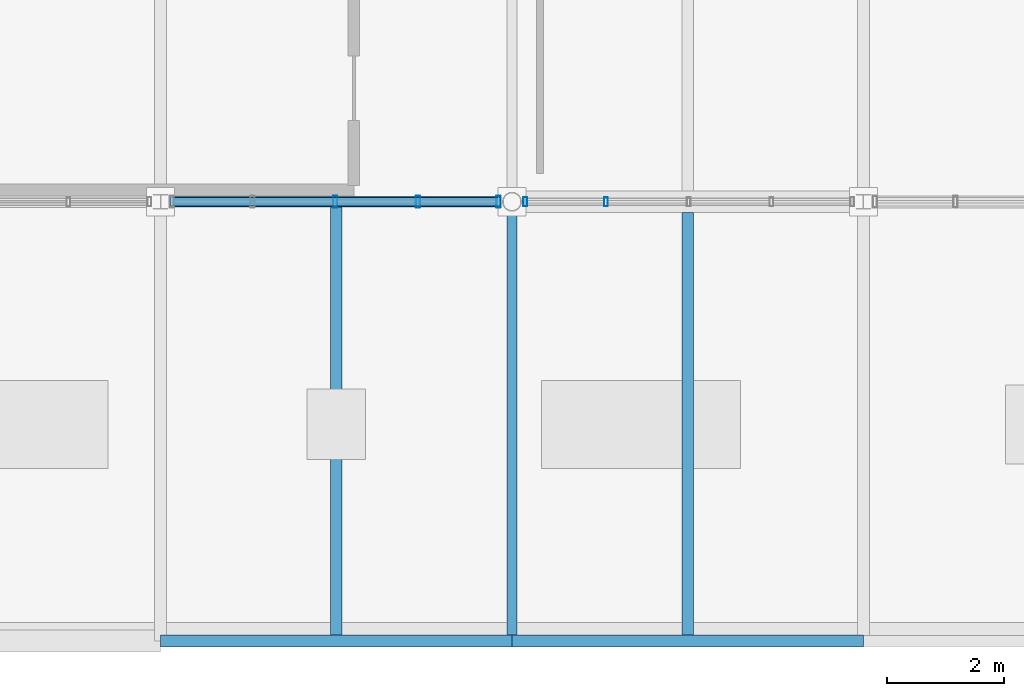
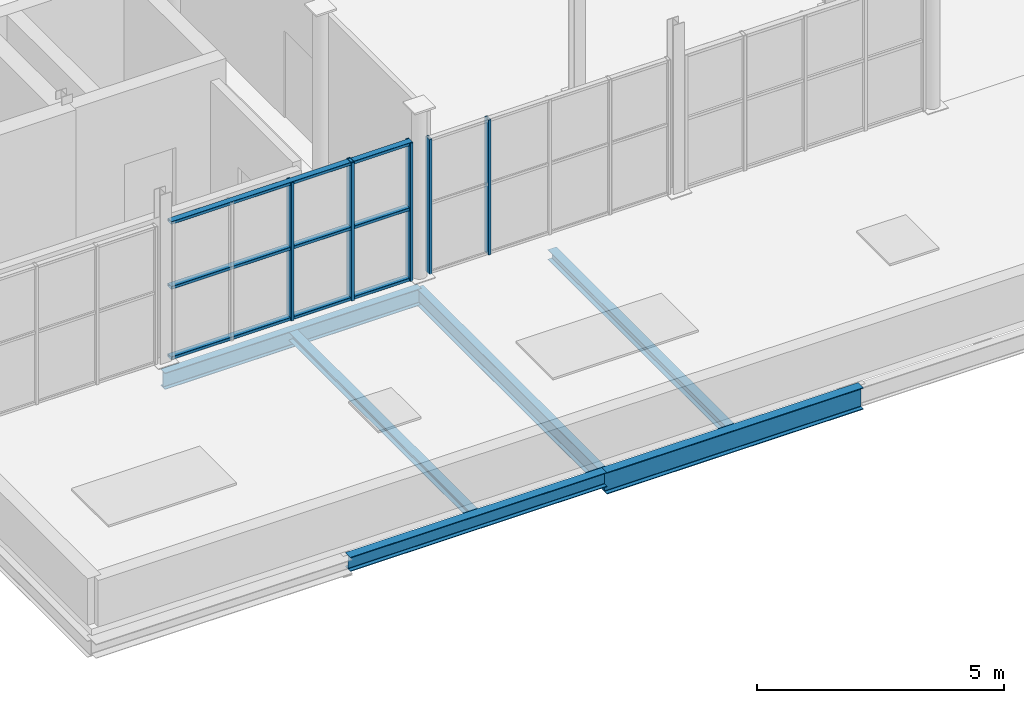
# One storey, part 4 of 27: 8 members, 6 beams, 2 elements without a shape of their own.
"""IFC4 building model written with IfcOpenShell, lengths in metres."""

from ifc_helpers import new_model, si_unit, direction, frame, origin, origin_2d, place, context, subcontext, project, spatial, hollow_rectangle, i_section, extrude, material, material_profile, profile_set, type_object, element, aggregate, save


model = new_model("IFC4")

# Units and contexts
model_context = context("Model", 3, precision=1e-05, world=origin(), true_north=direction((0.0, 1.0)))
body_context = subcontext(model_context, "Body", "Model", "MODEL_VIEW")
ifc_project = project(units=[si_unit("LENGTHUNIT", "METRE"), si_unit("AREAUNIT", "SQUARE_METRE"), si_unit("VOLUMEUNIT", "CUBIC_METRE"), si_unit("PLANEANGLEUNIT", "RADIAN"), si_unit("MASSUNIT", "GRAM", prefix="KILO")], contexts=[model_context])

# Site, building, storey
site_placement = place(None, origin())
site = spatial("IfcSite", under=ifc_project, at=site_placement, CompositionType="ELEMENT")
building_placement = place(site_placement, origin())
building = spatial("IfcBuilding", under=site, at=building_placement, Name="Verrall Gate Interchange", CompositionType="ELEMENT")
storey_placement = place(building_placement, frame((0.0, 0.0, 28.60009765625)))
storey = spatial("IfcBuildingStorey", under=building, at=storey_placement, Name="L07", CompositionType="ELEMENT", Elevation=28.60009765625)

# Beams
ifc_material_1 = material(Name="Structural Steel CSA G40.21 350W", Category="steel")
ifc_material_profile_1 = material_profile(ifc_material_1, i_section(OverallWidth=0.2109375, OverallDepth=0.5390625, WebThickness=0.01171875, FlangeThickness=0.018798828125, FilletRadius=0.013916015625, at=origin_2d()), Name="W530x109")
ifc_profile_set_1 = profile_set([ifc_material_profile_1], Name="Structural Steel CSA G40.21 350W")
beam_type_1 = type_object("IfcBeamType", Name="B-10 Structural Beam W530x109", PredefinedType="BEAM", material=ifc_profile_set_1)
beam_1_placement = place(storey_placement, frame((18.0, 4.5, -0.529541015625), z_axis=(1.0, 0.0, 0.0), x_axis=(0.0, 1.0, 0.0)))
element("IfcBeam", 1, at=beam_1_placement, inside=storey, type_object=beam_type_1, Name="L07 Girder BM-L07-3224 (B-10)", PredefinedType="BEAM", context=body_context, shape_type="SweptSolid", body=[
    extrude(i_section(OverallWidth=0.2109375, OverallDepth=0.5390625, WebThickness=0.01171875, FlangeThickness=0.018798828125, FilletRadius=0.013916015625, at=origin_2d()), origin(), (0.0, 0.0, 1.0), 6.0),
])
ifc_material_2 = material(Name="Structural Steel CSA G40.21 350W", Category="steel")
ifc_material_profile_2 = material_profile(ifc_material_2, i_section(OverallWidth=0.178955078125, OverallDepth=0.409912109375, WebThickness=0.0087890625, FlangeThickness=0.014404296875, FilletRadius=0.011962890625, at=origin_2d()), Name="W410x67")
ifc_profile_set_2 = profile_set([ifc_material_profile_2], Name="Structural Steel CSA G40.21 350W")
beam_type_2 = type_object("IfcBeamType", Name="B-12 Structural Beam W410x67", PredefinedType="BEAM", material=ifc_profile_set_2)
beam_2_placement = place(storey_placement, frame((12.0, 12.0, -0.465087890625), z_axis=(1.0, 0.0, 0.0), x_axis=(0.0, 1.0, 0.0)))
element("IfcBeam", 2, at=beam_2_placement, inside=storey, type_object=beam_type_2, Name="L07 Girder BM-L07-3228 (B-12)", PredefinedType="BEAM", context=body_context, shape_type="SweptSolid", body=[
    extrude(i_section(OverallWidth=0.178955078125, OverallDepth=0.409912109375, WebThickness=0.0087890625, FlangeThickness=0.014404296875, FilletRadius=0.011962890625, at=origin_2d()), origin(), (0.0, 0.0, 1.0), 6.0),
])
beam_3_placement = place(storey_placement, frame((18.0, 4.5, -0.465087890625), z_axis=(0.0, 1.0, 0.0), x_axis=(-1.0, 0.0, 0.0)))
element("IfcBeam", 3, at=beam_3_placement, inside=storey, type_object=beam_type_2, Name="L07 Girder BM-L07-3282 (B-12)", PredefinedType="BEAM", context=body_context, shape_type="SweptSolid", body=[
    extrude(i_section(OverallWidth=0.178955078125, OverallDepth=0.409912109375, WebThickness=0.0087890625, FlangeThickness=0.014404296875, FilletRadius=0.011962890625, at=origin_2d()), origin(), (0.0, 0.0, 1.0), 7.5),
])
ifc_material_3 = material(Name="Structural Steel CSA G40.21 350W", Category="steel")
ifc_material_profile_3 = material_profile(ifc_material_3, i_section(OverallWidth=0.205078125, OverallDepth=0.35400390625, WebThickness=0.009521484375, FlangeThickness=0.016845703125, FilletRadius=0.012939453125, at=origin_2d()), Name="W360x79")
ifc_profile_set_3 = profile_set([ifc_material_profile_3], Name="Structural Steel CSA G40.21 350W")
beam_type_3 = type_object("IfcBeamType", Name="B-14 Structural Beam W360x79", PredefinedType="BEAM", material=ifc_profile_set_3)
beam_4_placement = place(storey_placement, frame((12.0, 4.5, -0.43701171875), z_axis=(1.0, 0.0, 0.0), x_axis=(0.0, 1.0, 0.0)))
element("IfcBeam", 4, at=beam_4_placement, inside=storey, type_object=beam_type_3, Name="L07 Girder BM-L07-3223 (B-14)", PredefinedType="BEAM", context=body_context, shape_type="SweptSolid", body=[
    extrude(i_section(OverallWidth=0.205078125, OverallDepth=0.35400390625, WebThickness=0.009521484375, FlangeThickness=0.016845703125, FilletRadius=0.012939453125, at=origin_2d()), origin(), (0.0, 0.0, 1.0), 6.0),
])

# Curtain wall, members
ifc_material_4 = material(Name="Thermally Broken Anodized Aluminium Curtain Wall Framing", Category="aluminium")
curtain_wall_type_1 = type_object("IfcCurtainWallType", Name="CW-43 Unitized Curtain Wall 5612x3310", PredefinedType="NOTDEFINED", material=ifc_material_4)
curtain_wall_1_placement = place(storey_placement, origin())
curtain_wall_1 = element("IfcCurtainWall", 5, at=curtain_wall_1_placement, inside=storey, type_object=curtain_wall_type_1, Name="L07 Unitized Curtain Wall CW-L07-154", PredefinedType="NOTDEFINED")
ifc_material_5 = material(Name="Thermally Broken Anodized Aluminium Curtain Wall Framing", Category="aluminium")
ifc_material_profile_4 = material_profile(ifc_material_5, hollow_rectangle(XDim=0.06494140625, YDim=0.159912109375, WallThickness=0.00390625, InnerFilletRadius=0.00390625, OuterFilletRadius=0.008056640625, at=origin_2d()), Name="CWM160x65x4")
ifc_profile_set_4 = profile_set([ifc_material_profile_4], Name="Thermally Broken Anodized Aluminium Curtain Wall Framing")
member_type_1 = type_object("IfcMemberType", Name="CM-01 Curtain Mullion CWM160x65x4", PredefinedType="MULLION", material=ifc_profile_set_4)
member_1_placement = place(storey_placement, frame((18.2265625, 12.0, 0.0), z_axis=(0.0, 0.0, 1.0), x_axis=(1.0, 0.0, 0.0)))
member_1 = element("IfcMember", 6, at=member_1_placement, type_object=member_type_1, Name="CW-L07-154 Mullion 1", PredefinedType="MULLION", context=body_context, shape_type="SweptSolid", body=[
    extrude(hollow_rectangle(XDim=0.06494140625, YDim=0.159912109375, WallThickness=0.00390625, InnerFilletRadius=0.00390625, OuterFilletRadius=0.008056640625, at=origin_2d()), origin(), (0.0, 0.0, 1.0), 3.33984375),
])
member_2_placement = place(storey_placement, frame((19.605712890625, 12.0, 0.0), z_axis=(0.0, 0.0, 1.0), x_axis=(1.0, 0.0, 0.0)))
member_2 = element("IfcMember", 7, at=member_2_placement, type_object=member_type_1, Name="CW-L07-154 Mullion 2", PredefinedType="MULLION", context=body_context, shape_type="SweptSolid", body=[
    extrude(hollow_rectangle(XDim=0.06494140625, YDim=0.159912109375, WallThickness=0.00390625, InnerFilletRadius=0.00390625, OuterFilletRadius=0.008056640625, at=origin_2d()), origin(), (0.0, 0.0, 1.0), 3.33984375),
])
aggregate(curtain_wall_1, [member_1, member_2])

ifc_material_6 = material(Name="Thermally Broken Anodized Aluminium Curtain Wall Framing", Category="aluminium")
curtain_wall_type_2 = type_object("IfcCurtainWallType", Name="CW-50 Unitized Curtain Wall 5647x3420", PredefinedType="NOTDEFINED", material=ifc_material_6)
curtain_wall_2_placement = place(storey_placement, origin())
curtain_wall_2 = element("IfcCurtainWall", 8, at=curtain_wall_2_placement, inside=storey, type_object=curtain_wall_type_2, Name="L07 Unitized Curtain Wall CW-L07-153", PredefinedType="NOTDEFINED")
ifc_material_7 = material(Name="Thermally Broken Anodized Aluminium Curtain Wall Framing", Category="aluminium")
ifc_material_profile_5 = material_profile(ifc_material_7, hollow_rectangle(XDim=0.074951171875, YDim=0.199951171875, WallThickness=0.0048828125, InnerFilletRadius=0.0048828125, OuterFilletRadius=0.010009765625, at=origin_2d()), Name="CWM200x75x5")
ifc_profile_set_5 = profile_set([ifc_material_profile_5], Name="Thermally Broken Anodized Aluminium Curtain Wall Framing")
member_type_2 = type_object("IfcMemberType", Name="CM-02 Curtain Mullion CWM200x75x5", PredefinedType="MULLION", material=ifc_profile_set_5)
member_3_placement = place(storey_placement, frame((14.982666015625, 12.0, 0.0), z_axis=(0.0, 0.0, 1.0), x_axis=(1.0, 0.0, 0.0)))
member_3 = element("IfcMember", 9, at=member_3_placement, type_object=member_type_2, Name="CW-L07-153 Mullion 3", PredefinedType="MULLION", context=body_context, shape_type="SweptSolid", body=[
    extrude(hollow_rectangle(XDim=0.074951171875, YDim=0.199951171875, WallThickness=0.0048828125, InnerFilletRadius=0.0048828125, OuterFilletRadius=0.010009765625, at=origin_2d()), origin(), (0.0, 0.0, 1.0), 3.419921875),
])
member_4_placement = place(storey_placement, frame((16.394287109375, 12.0, 0.0), z_axis=(0.0, 0.0, 1.0), x_axis=(1.0, 0.0, 0.0)))
member_4 = element("IfcMember", 10, at=member_4_placement, type_object=member_type_2, Name="CW-L07-153 Mullion 4", PredefinedType="MULLION", context=body_context, shape_type="SweptSolid", body=[
    extrude(hollow_rectangle(XDim=0.074951171875, YDim=0.199951171875, WallThickness=0.0048828125, InnerFilletRadius=0.0048828125, OuterFilletRadius=0.010009765625, at=origin_2d()), origin(), (0.0, 0.0, 1.0), 3.419921875),
])
member_5_placement = place(storey_placement, frame((17.7685546875, 12.0, 0.0), z_axis=(0.0, 0.0, 1.0), x_axis=(1.0, 0.0, 0.0)))
member_5 = element("IfcMember", 11, at=member_5_placement, type_object=member_type_2, Name="CW-L07-153 Mullion 5", PredefinedType="MULLION", context=body_context, shape_type="SweptSolid", body=[
    extrude(hollow_rectangle(XDim=0.074951171875, YDim=0.199951171875, WallThickness=0.0048828125, InnerFilletRadius=0.0048828125, OuterFilletRadius=0.010009765625, at=origin_2d()), origin(), (0.0, 0.0, 1.0), 3.419921875),
])
ifc_material_8 = material(Name="Thermally Broken Anodized Aluminium Curtain Wall Framing", Category="aluminium")
ifc_material_profile_6 = material_profile(ifc_material_8, hollow_rectangle(XDim=0.14990234375, YDim=0.074951171875, WallThickness=0.00439453125, InnerFilletRadius=0.00439453125, OuterFilletRadius=0.009033203125, at=origin_2d()), Name="CWT150x75x4.5")
ifc_profile_set_6 = profile_set([ifc_material_profile_6], Name="Thermally Broken Anodized Aluminium Curtain Wall Framing")
member_type_3 = type_object("IfcMemberType", Name="CT-02 Curtain Transom CWT150x75x4.5", PredefinedType="USERDEFINED", material=ifc_profile_set_6)
member_6_placement = place(storey_placement, frame((12.158935546875, 12.0, 0.037353515625), z_axis=(1.0, 0.0, 0.0), x_axis=(0.0, 1.0, 0.0)))
member_6 = element("IfcMember", 12, at=member_6_placement, type_object=member_type_3, Name="CW-L07-153 Transom 1", ObjectType="TRANSOM", PredefinedType="USERDEFINED", context=body_context, shape_type="SweptSolid", body=[
    extrude(hollow_rectangle(XDim=0.14990234375, YDim=0.074951171875, WallThickness=0.00439453125, InnerFilletRadius=0.00439453125, OuterFilletRadius=0.009033203125, at=origin_2d()), origin(), (0.0, 0.0, 1.0), 5.647216796875),
])
member_7_placement = place(storey_placement, frame((12.158935546875, 12.0, 1.7783203125), z_axis=(1.0, 0.0, 0.0), x_axis=(0.0, 1.0, 0.0)))
member_7 = element("IfcMember", 13, at=member_7_placement, type_object=member_type_3, Name="CW-L07-153 Transom 2", ObjectType="TRANSOM", PredefinedType="USERDEFINED", context=body_context, shape_type="SweptSolid", body=[
    extrude(hollow_rectangle(XDim=0.14990234375, YDim=0.074951171875, WallThickness=0.00439453125, InnerFilletRadius=0.00439453125, OuterFilletRadius=0.009033203125, at=origin_2d()), origin(), (0.0, 0.0, 1.0), 5.647216796875),
])
member_8_placement = place(storey_placement, frame((12.158935546875, 12.0, 3.38232421875), z_axis=(1.0, 0.0, 0.0), x_axis=(0.0, 1.0, 0.0)))
member_8 = element("IfcMember", 14, at=member_8_placement, type_object=member_type_3, Name="CW-L07-153 Transom 3", ObjectType="TRANSOM", PredefinedType="USERDEFINED", context=body_context, shape_type="SweptSolid", body=[
    extrude(hollow_rectangle(XDim=0.14990234375, YDim=0.074951171875, WallThickness=0.00439453125, InnerFilletRadius=0.00439453125, OuterFilletRadius=0.009033203125, at=origin_2d()), origin(), (0.0, 0.0, 1.0), 5.647216796875),
])
aggregate(curtain_wall_2, [member_3, member_4, member_5, member_6, member_7, member_8])

# Beams
ifc_material_9 = material(Name="Structural Steel CSA G40.21 350W", Category="steel")
ifc_material_profile_7 = material_profile(ifc_material_9, i_section(OverallWidth=0.201904296875, OverallDepth=0.2470703125, WebThickness=0.00732421875, FlangeThickness=0.010986328125, FilletRadius=0.010986328125, at=origin_2d()), Name="W250x49")
ifc_profile_set_7 = profile_set([ifc_material_profile_7], Name="Structural Steel CSA G40.21 350W")
beam_type_4 = type_object("IfcBeamType", Name="J-06 Floor Joist W250x49", PredefinedType="JOIST", material=ifc_profile_set_7)
beam_5_placement = place(storey_placement, frame((21.0, 4.60546875, -0.383544921875), z_axis=(0.0, 1.0, 0.0), x_axis=(-1.0, 0.0, 0.0)))
element("IfcBeam", 15, at=beam_5_placement, inside=storey, type_object=beam_type_4, Name="L07 Secondary Floor Joist JST-L07-3320", PredefinedType="JOIST", context=body_context, shape_type="SweptSolid", body=[
    extrude(i_section(OverallWidth=0.201904296875, OverallDepth=0.2470703125, WebThickness=0.00732421875, FlangeThickness=0.010986328125, FilletRadius=0.010986328125, at=origin_2d()), origin(), (0.0, 0.0, 1.0), 7.2099609375),
])
ifc_material_10 = material(Name="Structural Steel CSA G40.21 350W", Category="steel")
ifc_material_profile_8 = material_profile(ifc_material_10, i_section(OverallWidth=0.202880859375, OverallDepth=0.202880859375, WebThickness=0.007080078125, FlangeThickness=0.010986328125, FilletRadius=0.010009765625, at=origin_2d()), Name="W200x46")
ifc_profile_set_8 = profile_set([ifc_material_profile_8], Name="Structural Steel CSA G40.21 350W")
beam_type_5 = type_object("IfcBeamType", Name="J-07 Floor Joist W200x46", PredefinedType="JOIST", material=ifc_profile_set_8)
beam_6_placement = place(storey_placement, frame((15.0, 4.6025390625, -0.361572265625), z_axis=(0.0, 1.0, 0.0), x_axis=(-1.0, 0.0, 0.0)))
element("IfcBeam", 16, at=beam_6_placement, inside=storey, type_object=beam_type_5, Name="L07 Secondary Floor Joist JST-L07-3319", PredefinedType="JOIST", context=body_context, shape_type="SweptSolid", body=[
    extrude(i_section(OverallWidth=0.202880859375, OverallDepth=0.202880859375, WebThickness=0.007080078125, FlangeThickness=0.010986328125, FilletRadius=0.010009765625, at=origin_2d()), origin(), (0.0, 0.0, 1.0), 7.307861328125),
])

save(model, "model.ifc")
